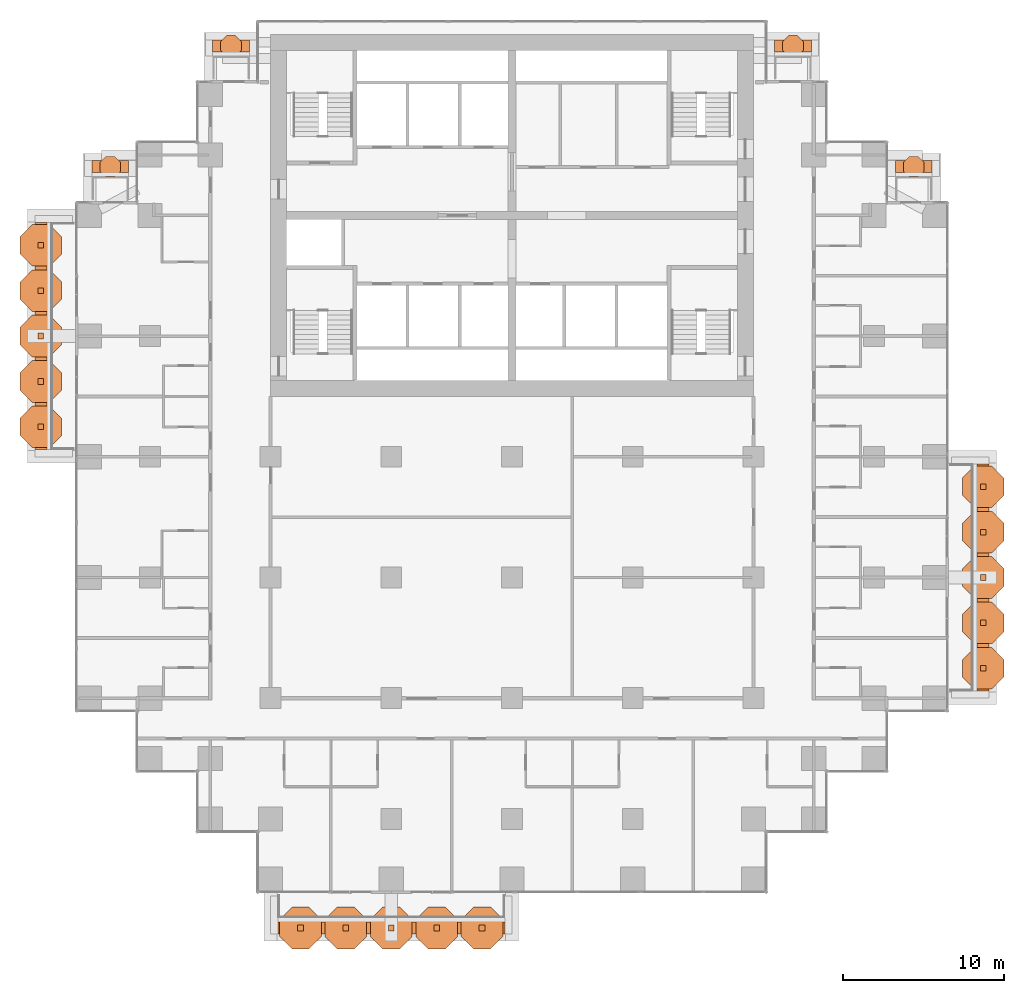
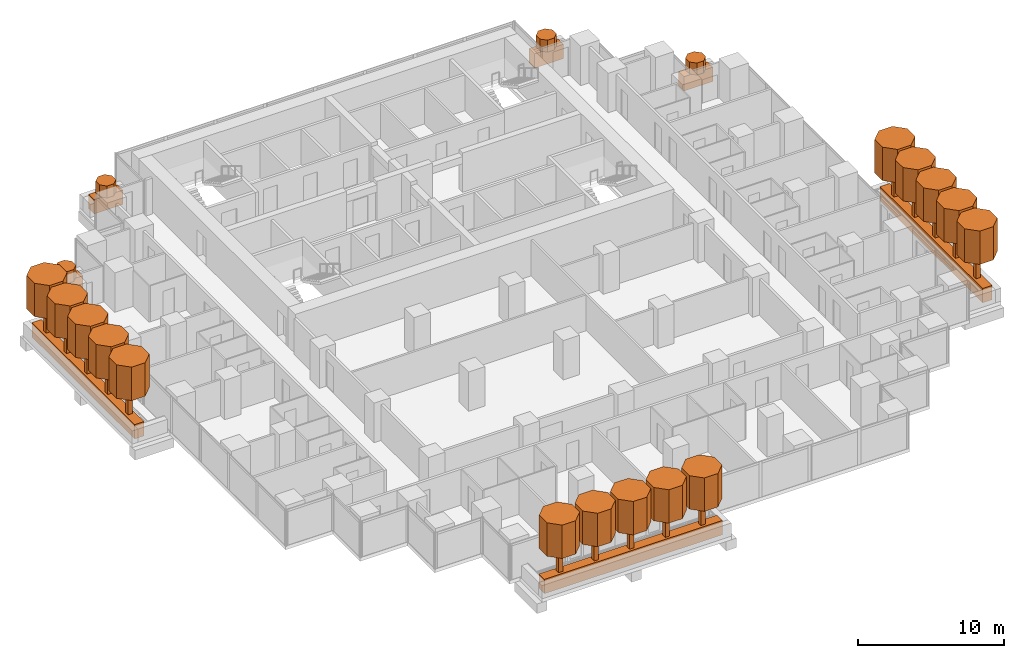
# One storey, part 18 of 18: 41 geographic elements.
"""IFC4 building model written with IfcOpenShell, lengths in metres."""

from ifc_helpers import new_model, si_unit, direction, frame, origin, origin_2d, place, context, subcontext, project, spatial, polyline, rectangle, outline, extrude, material, material_profile, profile_set, type_object, element, save


model = new_model("IFC4")

# Units and contexts
model_context = context("Model", 3, precision=1e-05, world=origin(), true_north=direction((0.0, 1.0)))
body_context = subcontext(model_context, "Body", "Model", "MODEL_VIEW")
ifc_project = project(units=[si_unit("LENGTHUNIT", "METRE"), si_unit("AREAUNIT", "SQUARE_METRE"), si_unit("VOLUMEUNIT", "CUBIC_METRE"), si_unit("PLANEANGLEUNIT", "RADIAN"), si_unit("MASSUNIT", "GRAM", prefix="KILO")], contexts=[model_context])

# Site, building, storey
site_placement = place(None, origin())
site = spatial("IfcSite", under=ifc_project, at=site_placement, CompositionType="ELEMENT")
building_placement = place(site_placement, origin())
building = spatial("IfcBuilding", under=site, at=building_placement, Name="Pilkhan Gate Tower", CompositionType="ELEMENT")
storey_placement = place(building_placement, frame((0.0, 0.0, 82.39990234375)))
storey = spatial("IfcBuildingStorey", under=building, at=storey_placement, Name="L19", CompositionType="ELEMENT", Elevation=82.39990234375)

# Geographic elements
ifc_material_1 = material(Name="Foliage")
ifc_material_profile_1 = material_profile(ifc_material_1, rectangle(XDim=0.75, YDim=1.199951171875, at=origin_2d()), Name="Bed 750x1200")
ifc_profile_set_1 = profile_set([ifc_material_profile_1], Name="Foliage")
geographic_element_type_1 = type_object("IfcGeographicElementType", Name="Planting bed PB1", PredefinedType="USERDEFINED", material=ifc_profile_set_1)
for number, where, z_axis, x_axis, name in (
    (1, (60.449951171875, 38.22509765625, 0.60009765625), (1.0, 0.0, 0.0), (0.0, 1.0, 0.0), "Balcony L19 S planting bed"),
    (2, (104.27490234375, 52.949951171875, 0.60009765625), (0.0, 1.0, 0.0), (-1.0, 0.0, 0.0), "Balcony L19 E planting bed"),
):
    element("IfcGeographicElement", number, at=place(storey_placement, frame(where, z_axis=z_axis, x_axis=x_axis)), inside=storey, type_object=geographic_element_type_1, Name=name, ObjectType="PLANTING BED", PredefinedType="USERDEFINED", context=body_context, shape_type="SweptSolid", body=[
        extrude(rectangle(XDim=0.75, YDim=1.199951171875, at=origin_2d()), origin(), (0.0, 0.0, 1.0), 14.10009765625),
    ])
for number, where, z_axis, x_axis, name in (
    (3, (56.39990234375, 93.02490234375, 0.60009765625), (1.0, 0.0, 0.0), (0.0, 1.0, 0.0), "Balcony L19 N planting bed"),
    (4, (91.300048828125, 93.02490234375, 0.60009765625), (1.0, 0.0, 0.0), (0.0, 1.0, 0.0), "Balcony L19 N planting bed"),
):
    element("IfcGeographicElement", number, at=place(storey_placement, frame(where, z_axis=z_axis, x_axis=x_axis)), inside=storey, type_object=geographic_element_type_1, Name=name, ObjectType="PLANTING BED", PredefinedType="USERDEFINED", context=body_context, shape_type="SweptSolid", body=[
        extrude(rectangle(XDim=0.75, YDim=1.199951171875, at=origin_2d()), origin(), (0.0, 0.0, 1.0), 2.300048828125),
    ])
for number, where, z_axis, x_axis, name in (
    (5, (48.89990234375, 85.52490234375, 0.60009765625), (1.0, 0.0, 0.0), (0.0, 1.0, 0.0), "Balcony L19 N planting bed"),
    (6, (98.820068359375, 85.52490234375, 0.60009765625), (1.0, 0.0, 0.0), (0.0, 1.0, 0.0), "Balcony L19 N planting bed"),
):
    element("IfcGeographicElement", number, at=place(storey_placement, frame(where, z_axis=z_axis, x_axis=x_axis)), inside=storey, type_object=geographic_element_type_1, Name=name, ObjectType="PLANTING BED", PredefinedType="USERDEFINED", context=body_context, shape_type="SweptSolid", body=[
        extrude(rectangle(XDim=0.75, YDim=1.199951171875, at=origin_2d()), origin(), (0.0, 0.0, 1.0), 2.280029296875),
    ])
geographic_element_placement = place(storey_placement, frame((45.72509765625, 67.949951171875, 0.60009765625), z_axis=(0.0, 1.0, 0.0), x_axis=(-1.0, 0.0, 0.0)))
element("IfcGeographicElement", 7, at=geographic_element_placement, inside=storey, type_object=geographic_element_type_1, Name="Balcony L19 W planting bed", ObjectType="PLANTING BED", PredefinedType="USERDEFINED", context=body_context, shape_type="SweptSolid", body=[
    extrude(rectangle(XDim=0.75, YDim=1.199951171875, at=origin_2d()), origin(), (0.0, 0.0, 1.0), 14.10009765625),
])
ifc_material_profile_2 = material_profile(ifc_material_1, outline(polyline([(0.646728515625, 0.267822265625), (0.267822265625, 0.646728515625), (-0.267822265625, 0.646728515625), (-0.646728515625, 0.267822265625), (-0.646728515625, -0.267822265625), (-0.267822265625, -0.646728515625), (0.267822265625, -0.646728515625), (0.646728515625, -0.267822265625), (0.646728515625, 0.267822265625)])), Name="Shrub D1.4")
ifc_profile_set_2 = profile_set([ifc_material_profile_2], Name="Foliage")
geographic_element_type_2 = type_object("IfcGeographicElementType", Name="Shrub SH07", PredefinedType="USERDEFINED", material=ifc_profile_set_2)
for number, where, z_axis, x_axis, name in (
    (8, (57.550048828125, 93.02490234375, 1.2001953125), (0.0, 0.0, 1.0), (1.0, 0.0, 0.0), "Shrub L19 N 1"),
    (9, (92.449951171875, 93.02490234375, 1.2001953125), (0.0, 0.0, 1.0), (1.0, 0.0, 0.0), "Shrub L19 N 1"),
    (10, (50.0400390625, 85.52490234375, 1.2001953125), (0.0, 0.0, 1.0), (1.0, 0.0, 0.0), "Shrub L19 N 1"),
    (11, (99.9599609375, 85.52490234375, 1.2001953125), (0.0, 0.0, 1.0), (1.0, 0.0, 0.0), "Shrub L19 N 1"),
):
    element("IfcGeographicElement", number, at=place(storey_placement, frame(where, z_axis=z_axis, x_axis=x_axis)), inside=storey, type_object=geographic_element_type_2, Name=name, ObjectType="SHRUB", PredefinedType="USERDEFINED", context=body_context, shape_type="SweptSolid", body=[
        extrude(outline(polyline([(0.646728515625, 0.267822265625), (0.267822265625, 0.646728515625), (-0.267822265625, 0.646728515625), (-0.646728515625, 0.267822265625), (-0.646728515625, -0.267822265625), (-0.267822265625, -0.646728515625), (0.267822265625, -0.646728515625), (0.646728515625, -0.267822265625), (0.646728515625, 0.267822265625)])), origin(), (0.0, 0.0, 1.0), 1.0),
    ])
ifc_material_profile_3 = material_profile(ifc_material_1, outline(polyline([(1.29345703125, 0.535888671875), (0.535888671875, 1.29345703125), (-0.535888671875, 1.29345703125), (-1.29345703125, 0.535888671875), (-1.29345703125, -0.535888671875), (-0.535888671875, -1.29345703125), (0.535888671875, -1.29345703125), (1.29345703125, -0.535888671875), (1.29345703125, 0.535888671875)])), Name="Canopy D2.8")
ifc_profile_set_3 = profile_set([ifc_material_profile_3], Name="Foliage")
geographic_element_type_3 = type_object("IfcGeographicElementType", Name="Tree canopy TC14", PredefinedType="USERDEFINED", material=ifc_profile_set_3)
for number, where, z_axis, x_axis, name in (
    (12, (61.860107421875, 38.22509765625, 3.2001953125), (0.0, 0.0, 1.0), (1.0, 0.0, 0.0), "Tree L19 S 1 canopy"),
    (13, (64.679931640625, 38.22509765625, 3.2001953125), (0.0, 0.0, 1.0), (1.0, 0.0, 0.0), "Tree L19 S 2 canopy"),
    (14, (67.5, 38.22509765625, 3.2001953125), (0.0, 0.0, 1.0), (1.0, 0.0, 0.0), "Tree L19 S 3 canopy"),
    (15, (70.320068359375, 38.22509765625, 3.2001953125), (0.0, 0.0, 1.0), (1.0, 0.0, 0.0), "Tree L19 S 4 canopy"),
    (16, (73.139892578125, 38.22509765625, 3.2001953125), (0.0, 0.0, 1.0), (1.0, 0.0, 0.0), "Tree L19 S 5 canopy"),
    (17, (104.27490234375, 54.360107421875, 3.2001953125), (0.0, 0.0, 1.0), (1.0, 0.0, 0.0), "Tree L19 E 1 canopy"),
    (18, (104.27490234375, 57.179931640625, 3.2001953125), (0.0, 0.0, 1.0), (1.0, 0.0, 0.0), "Tree L19 E 2 canopy"),
    (19, (104.27490234375, 60.0, 3.2001953125), (0.0, 0.0, 1.0), (1.0, 0.0, 0.0), "Tree L19 E 3 canopy"),
    (20, (104.27490234375, 62.820068359375, 3.2001953125), (0.0, 0.0, 1.0), (1.0, 0.0, 0.0), "Tree L19 E 4 canopy"),
    (21, (104.27490234375, 65.639892578125, 3.2001953125), (0.0, 0.0, 1.0), (1.0, 0.0, 0.0), "Tree L19 E 5 canopy"),
    (22, (45.72509765625, 69.360107421875, 3.2001953125), (0.0, 0.0, 1.0), (1.0, 0.0, 0.0), "Tree L19 W 1 canopy"),
    (23, (45.72509765625, 72.179931640625, 3.2001953125), (0.0, 0.0, 1.0), (1.0, 0.0, 0.0), "Tree L19 W 2 canopy"),
    (24, (45.72509765625, 75.0, 3.2001953125), (0.0, 0.0, 1.0), (1.0, 0.0, 0.0), "Tree L19 W 3 canopy"),
    (25, (45.72509765625, 77.820068359375, 3.2001953125), (0.0, 0.0, 1.0), (1.0, 0.0, 0.0), "Tree L19 W 4 canopy"),
    (26, (45.72509765625, 80.639892578125, 3.2001953125), (0.0, 0.0, 1.0), (1.0, 0.0, 0.0), "Tree L19 W 5 canopy"),
):
    element("IfcGeographicElement", number, at=place(storey_placement, frame(where, z_axis=z_axis, x_axis=x_axis)), inside=storey, type_object=geographic_element_type_3, Name=name, ObjectType="TREE", PredefinedType="USERDEFINED", context=body_context, shape_type="SweptSolid", body=[
        extrude(outline(polyline([(1.29345703125, 0.535888671875), (0.535888671875, 1.29345703125), (-0.535888671875, 1.29345703125), (-1.29345703125, 0.535888671875), (-1.29345703125, -0.535888671875), (-0.535888671875, -1.29345703125), (0.535888671875, -1.29345703125), (1.29345703125, -0.535888671875), (1.29345703125, 0.535888671875)])), origin(), (0.0, 0.0, 1.0), 2.7998046875),
    ])
ifc_material_2 = material(Name="Timber trunk", Category="wood")
geographic_element_type_4 = type_object("IfcGeographicElementType", Name="Tree trunk TT1", PredefinedType="USERDEFINED", material=ifc_material_2)
for number, where, z_axis, x_axis, name in (
    (27, (61.860107421875, 38.22509765625, 1.2001953125), (0.0, 0.0, 1.0), (1.0, 0.0, 0.0), "Tree L19 S 1 trunk"),
    (28, (64.679931640625, 38.22509765625, 1.2001953125), (0.0, 0.0, 1.0), (1.0, 0.0, 0.0), "Tree L19 S 2 trunk"),
    (29, (67.5, 38.22509765625, 1.2001953125), (0.0, 0.0, 1.0), (1.0, 0.0, 0.0), "Tree L19 S 3 trunk"),
    (30, (70.320068359375, 38.22509765625, 1.2001953125), (0.0, 0.0, 1.0), (1.0, 0.0, 0.0), "Tree L19 S 4 trunk"),
    (31, (73.139892578125, 38.22509765625, 1.2001953125), (0.0, 0.0, 1.0), (1.0, 0.0, 0.0), "Tree L19 S 5 trunk"),
    (32, (104.27490234375, 54.360107421875, 1.2001953125), (0.0, 0.0, 1.0), (1.0, 0.0, 0.0), "Tree L19 E 1 trunk"),
    (33, (104.27490234375, 57.179931640625, 1.2001953125), (0.0, 0.0, 1.0), (1.0, 0.0, 0.0), "Tree L19 E 2 trunk"),
    (34, (104.27490234375, 60.0, 1.2001953125), (0.0, 0.0, 1.0), (1.0, 0.0, 0.0), "Tree L19 E 3 trunk"),
    (35, (104.27490234375, 62.820068359375, 1.2001953125), (0.0, 0.0, 1.0), (1.0, 0.0, 0.0), "Tree L19 E 4 trunk"),
    (36, (104.27490234375, 65.639892578125, 1.2001953125), (0.0, 0.0, 1.0), (1.0, 0.0, 0.0), "Tree L19 E 5 trunk"),
    (37, (45.72509765625, 69.360107421875, 1.2001953125), (0.0, 0.0, 1.0), (1.0, 0.0, 0.0), "Tree L19 W 1 trunk"),
    (38, (45.72509765625, 72.179931640625, 1.2001953125), (0.0, 0.0, 1.0), (1.0, 0.0, 0.0), "Tree L19 W 2 trunk"),
    (39, (45.72509765625, 75.0, 1.2001953125), (0.0, 0.0, 1.0), (1.0, 0.0, 0.0), "Tree L19 W 3 trunk"),
    (40, (45.72509765625, 77.820068359375, 1.2001953125), (0.0, 0.0, 1.0), (1.0, 0.0, 0.0), "Tree L19 W 4 trunk"),
    (41, (45.72509765625, 80.639892578125, 1.2001953125), (0.0, 0.0, 1.0), (1.0, 0.0, 0.0), "Tree L19 W 5 trunk"),
):
    element("IfcGeographicElement", number, at=place(storey_placement, frame(where, z_axis=z_axis, x_axis=x_axis)), inside=storey, type_object=geographic_element_type_4, Name=name, ObjectType="TREE", PredefinedType="USERDEFINED", context=body_context, shape_type="SweptSolid", body=[
        extrude(rectangle(XDim=0.35009765625, YDim=0.35009765625, at=origin_2d()), origin(), (0.0, 0.0, 1.0), 2.0),
    ])

save(model, "model.ifc")
